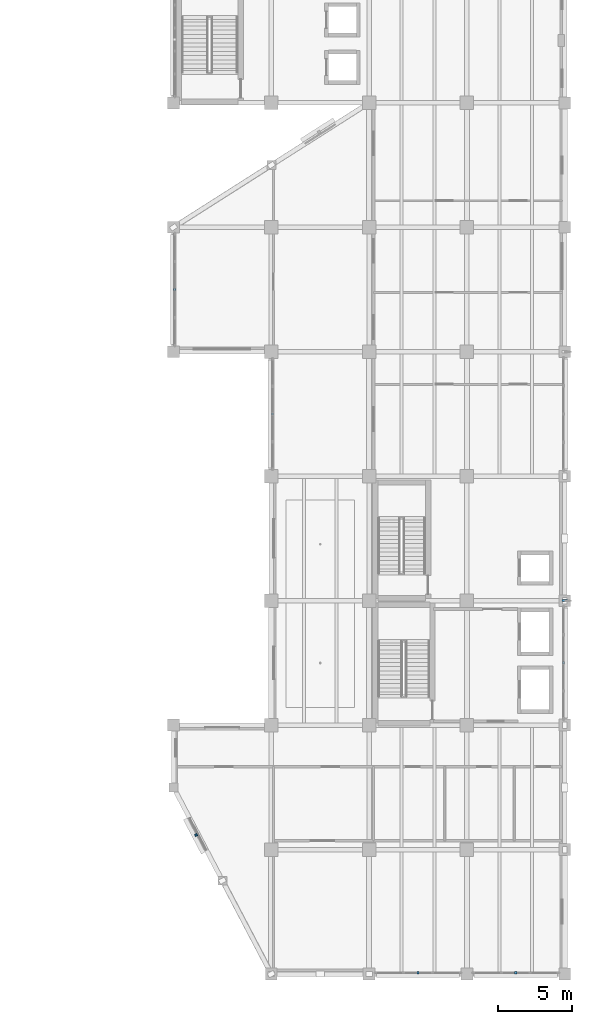
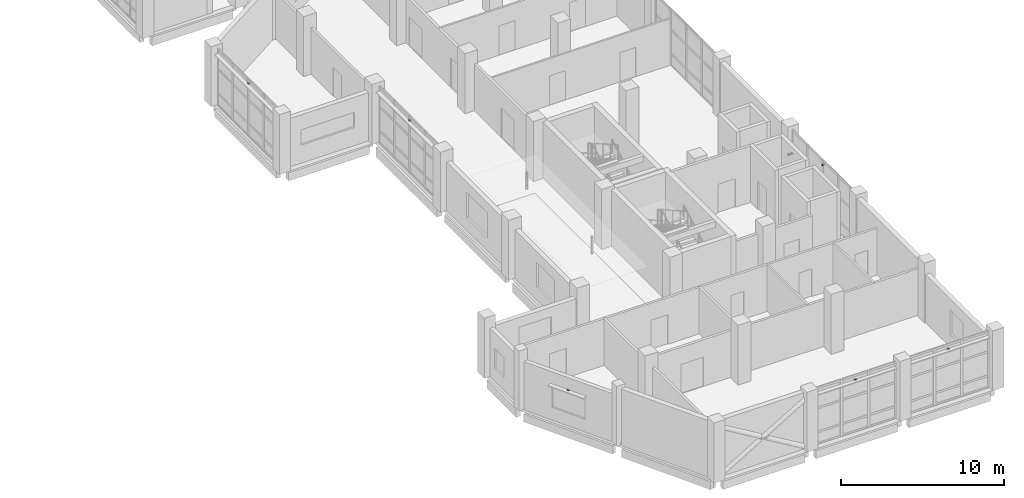
# One storey, part 61 of 76: 7 discrete accessories.
"""IFC4 building model written with IfcOpenShell, lengths in metres."""

from ifc_helpers import new_model, si_unit, direction, frame, origin, origin_2d, place, context, subcontext, project, spatial, rectangle, extrude, material, layer, layer_set, type_object, element, save


model = new_model("IFC4")

# Units and contexts
model_context = context("Model", 3, precision=1e-05, world=origin(), true_north=direction((0.0, 1.0)))
body_context = subcontext(model_context, "Body", "Model", "MODEL_VIEW")
ifc_project = project(units=[si_unit("LENGTHUNIT", "METRE"), si_unit("AREAUNIT", "SQUARE_METRE"), si_unit("VOLUMEUNIT", "CUBIC_METRE"), si_unit("PLANEANGLEUNIT", "RADIAN"), si_unit("MASSUNIT", "GRAM", prefix="KILO")], contexts=[model_context])

# Site, building, storey
site_placement = place(None, origin())
site = spatial("IfcSite", under=ifc_project, at=site_placement, CompositionType="ELEMENT")
building_placement = place(site_placement, origin())
building = spatial("IfcBuilding", under=site, at=building_placement, Name="Qaldarim Faculty of Natural and Applied Sciences", CompositionType="ELEMENT")
storey_placement = place(building_placement, frame((0.0, 0.0, 9.89990234375)))
storey = spatial("IfcBuildingStorey", under=building, at=storey_placement, Name="L02", CompositionType="ELEMENT", Elevation=9.89990234375)

# Discrete accessories
ifc_material = material(Name="Architectural stainless steel 316", Category="steel")
ifc_layer = layer(ifc_material, 0.080078125)
ifc_layer_set = layer_set([ifc_layer], Name="Architectural stainless steel 316")
discrete_accessory_type = type_object("IfcDiscreteAccessoryType", Name="FacadeBracket-SS120", PredefinedType="BRACKET", material=ifc_layer_set)
for number, where, z_axis, x_axis, name in (
    (1, (151.8798828125, 46.199951171875, 3.85009765625), (0.0, 0.0, 1.0), (0.0, 1.0, 0.0), "Solar louvre support bracket SHD-L02-W-X24Y06"),
    (2, (158.47998046875, 37.800048828125, 3.85009765625), (0.0, 0.0, 1.0), (0.0, 1.0, 0.0), "Solar louvre support bracket SHD-L02-W-X25Y05"),
    (3, (168.300048828125, 0.080078125, 3.85009765625), (0.0, 0.0, 1.0), (1.0, 0.0, 0.0), "Solar louvre support bracket SHD-L02-S-X26Y01"),
    (4, (174.89990234375, 0.080078125, 3.85009765625), (0.0, 0.0, 1.0), (1.0, 0.0, 0.0), "Solar louvre support bracket SHD-L02-S-X27Y01"),
    (5, (178.1201171875, 21.0, 3.85009765625), (0.0, 0.0, 1.0), (0.0, 1.0, 0.0), "Solar louvre support bracket SHD-L02-E-X27Y03"),
    (6, (153.324951171875, 9.385009765625, 2.66015625), (0.0, 0.0, 1.0), (0.46447113214, -0.885588260654, 0.0), "Oblique solar louvre bracket SHD-OBL-SW-L02-1"),
):
    element("IfcDiscreteAccessory", number, at=place(storey_placement, frame(where, z_axis=z_axis, x_axis=x_axis)), inside=storey, type_object=discrete_accessory_type, Name=name, PredefinedType="BRACKET", context=body_context, shape_type="SweptSolid", body=[
        extrude(rectangle(XDim=0.159912109375, YDim=0.159912109375, at=origin_2d()), origin(), (0.0, 0.0, 1.0), 0.080078125),
    ])
discrete_accessory_placement = place(storey_placement, frame((178.199951171875, 25.199951171875, 2.070068359375), z_axis=(0.0, 0.0, 1.0), x_axis=(1.0, 0.0, 0.0)))
element("IfcDiscreteAccessory", 7, at=discrete_accessory_placement, inside=storey, type_object=discrete_accessory_type, Name="Solar fin bracket FIN-L02-X28Y04", PredefinedType="BRACKET", context=body_context, shape_type="SweptSolid", body=[
    extrude(rectangle(XDim=0.360107421875, YDim=0.139892578125, at=origin_2d()), origin(), (0.0, 0.0, 1.0), 0.10009765625),
])

save(model, "model.ifc")
